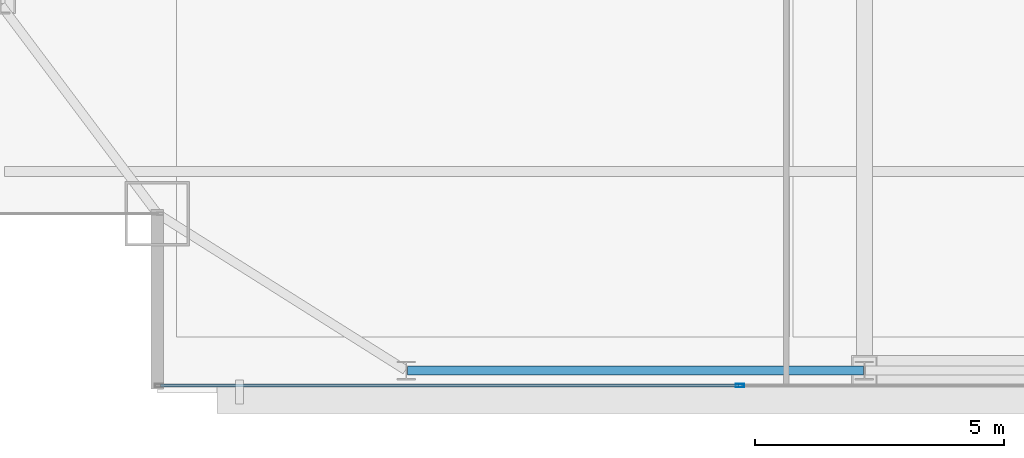
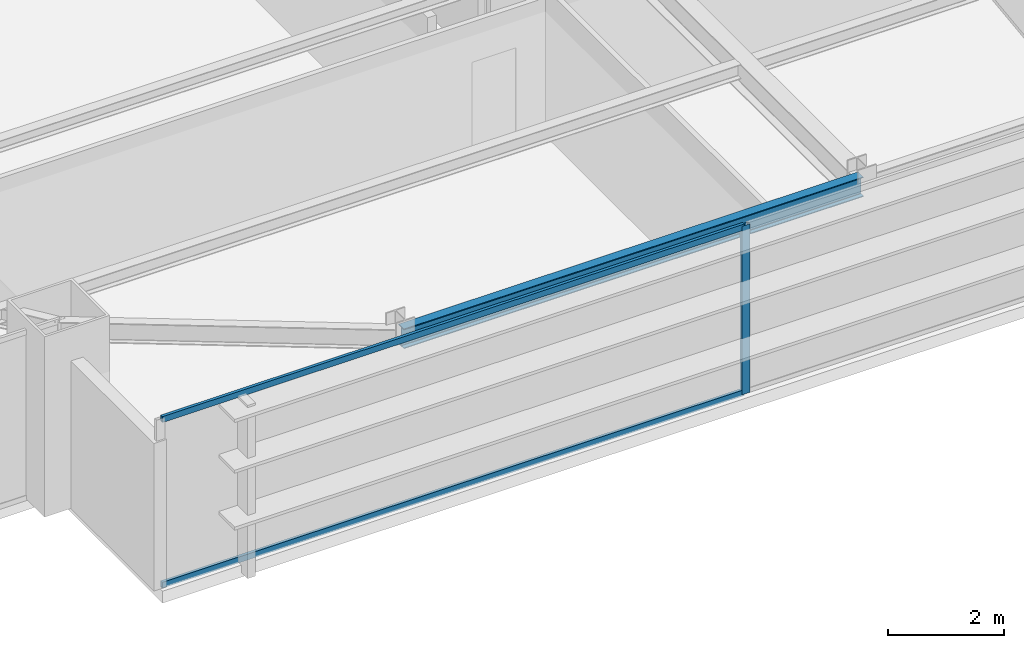
# One storey, part 5 of 30: 3 members, 1 beam, 1 element without a shape of its own.
"""IFC4 building model written with IfcOpenShell, lengths in metres."""

from ifc_helpers import new_model, si_unit, direction, frame, origin, origin_2d, place, context, subcontext, project, spatial, hollow_rectangle, i_section, extrude, source, transform, mapped, material, layer, layer_set, material_profile, profile_set, type_object, type_shapes, element, aggregate, save


model = new_model("IFC4")

# Units and contexts
model_context = context("Model", 3, precision=1e-05, world=origin(), true_north=direction((0.0, 1.0)))
body_context = subcontext(model_context, "Body", "Model", "MODEL_VIEW")
ifc_project = project(units=[si_unit("LENGTHUNIT", "METRE"), si_unit("AREAUNIT", "SQUARE_METRE"), si_unit("VOLUMEUNIT", "CUBIC_METRE"), si_unit("PLANEANGLEUNIT", "RADIAN"), si_unit("MASSUNIT", "GRAM", prefix="KILO")], contexts=[model_context])

# Site, building, storey
site_placement = place(None, origin())
site = spatial("IfcSite", under=ifc_project, at=site_placement, CompositionType="ELEMENT")
building_placement = place(site_placement, origin())
building = spatial("IfcBuilding", under=site, at=building_placement, Name="Varnel Quay Broadcast Tower", CompositionType="ELEMENT")
storey_placement = place(building_placement, frame((0.0, 0.0, 149.60009765625)))
storey = spatial("IfcBuildingStorey", under=building, at=storey_placement, Name="L36", CompositionType="ELEMENT", Elevation=149.60009765625)

# Beam
ifc_material_1 = material(Name="Structural Steel CSA G40.21 350W", Category="steel")
ifc_material_profile_1 = material_profile(ifc_material_1, i_section(OverallWidth=0.180908203125, OverallDepth=0.4169921875, WebThickness=0.010986328125, FlangeThickness=0.018310546875, FilletRadius=0.011962890625, at=origin_2d()), Name="W410X85")
ifc_profile_set_1 = profile_set([ifc_material_profile_1], Name="Structural Steel CSA G40.21 350W")
beam_type = type_object("IfcBeamType", Name="Beam_W410X85", PredefinedType="SPANDREL", material=ifc_profile_set_1)
shared_shape_1 = source(origin(), body_context, "Body", "SweptSolid", [
    extrude(i_section(OverallWidth=0.180908203125, OverallDepth=0.4169921875, WebThickness=0.010986328125, FlangeThickness=0.018310546875, FilletRadius=0.011962890625, at=origin_2d()), origin(), (0.0, 0.0, 1.0), 9.159912109375),
])
type_shapes(beam_type, [shared_shape_1])
beam_placement = place(storey_placement, frame((15.6201171875, 7.64990234375, 3.34130859375), z_axis=(1.0, 0.0, 0.0), x_axis=(0.0, 1.0, 0.0)))
element("IfcBeam", 1, at=beam_placement, inside=storey, type_object=beam_type, Name="L36 South Spandrel TC-S1-TC-S2", PredefinedType="SPANDREL", context=body_context, shape_type="MappedRepresentation", body=[
    mapped(shared_shape_1, transform((0.0, 0.0, 0.0), x_axis=(1.0, 0.0, 0.0), y_axis=(0.0, 1.0, 0.0), z_axis=(0.0, 0.0, 1.0), scale=1.0)),
])

# Curtain wall, members
ifc_material_2 = material(Name="Anodised Bronze Aluminium 6063-T6", Category="aluminium")
ifc_layer = layer(ifc_material_2, 0.18994140625, Name="Anodised Bronze Aluminium 6063-T6")
ifc_layer_set = layer_set([ifc_layer], Name="Anodised Bronze Aluminium 6063-T6")
curtain_wall_type = type_object("IfcCurtainWallType", Name="CW_UpperTower", PredefinedType="NOTDEFINED", material=ifc_layer_set)
curtain_wall_placement = place(storey_placement, origin())
curtain_wall = element("IfcCurtainWall", 2, at=curtain_wall_placement, inside=storey, type_object=curtain_wall_type, Name="L36 South Unitised Curtain Wall 1", PredefinedType="NOTDEFINED")
ifc_material_profile_2 = material_profile(ifc_material_2, hollow_rectangle(XDim=0.06494140625, YDim=0.1650390625, WallThickness=0.00341796875, at=origin_2d()), Name="ALU65X165X3.5")
ifc_profile_set_2 = profile_set([ifc_material_profile_2], Name="Anodised Bronze Aluminium 6063-T6")
member_type_1 = type_object("IfcMemberType", Name="Mull_CWS-03", PredefinedType="MULLION", material=ifc_profile_set_2)
shared_shape_2 = source(origin(), body_context, "Body", "SweptSolid", [
    extrude(hollow_rectangle(XDim=0.06494140625, YDim=0.1650390625, WallThickness=0.00341796875, at=origin_2d()), origin(), (0.0, 0.0, 1.0), 3.5498046875),
])
type_shapes(member_type_1, [shared_shape_2])
member_1_placement = place(storey_placement, frame((22.300048828125, 7.35009765625, 0.0), z_axis=(0.0, 0.0, 1.0), x_axis=(0.0, 1.0, 0.0)))
member_1 = element("IfcMember", 3, at=member_1_placement, type_object=member_type_1, Name="CWS-03 mullion 2", PredefinedType="MULLION", context=body_context, shape_type="MappedRepresentation", body=[
    mapped(shared_shape_2, transform((0.0, 0.0, 0.0), x_axis=(1.0, 0.0, 0.0), y_axis=(0.0, 1.0, 0.0), z_axis=(0.0, 0.0, 1.0), scale=1.0)),
])
ifc_material_profile_3 = material_profile(ifc_material_2, hollow_rectangle(XDim=0.06005859375, YDim=0.125, WallThickness=0.0029296875, at=origin_2d()), Name="ALU60X125X3")
ifc_profile_set_3 = profile_set([ifc_material_profile_3], Name="Anodised Bronze Aluminium 6063-T6")
member_type_2 = type_object("IfcMemberType", Name="Tran_CWS-03", PredefinedType="USERDEFINED", material=ifc_profile_set_3)
shared_shape_3 = source(origin(), body_context, "Body", "SweptSolid", [
    extrude(hollow_rectangle(XDim=0.06005859375, YDim=0.125, WallThickness=0.0029296875, at=origin_2d()), origin(), (0.0, 0.0, 1.0), 11.6025390625),
])
type_shapes(member_type_2, [shared_shape_3])
member_2_placement = place(storey_placement, frame((10.6650390625, 7.35009765625, 0.02978515625), z_axis=(1.0, 0.0, 0.0), x_axis=(0.0, 1.0, 0.0)))
member_2 = element("IfcMember", 4, at=member_2_placement, type_object=member_type_2, Name="CWS-03 transom 1.1", ObjectType="TRANSOM", PredefinedType="USERDEFINED", context=body_context, shape_type="MappedRepresentation", body=[
    mapped(shared_shape_3, transform((0.0, 0.0, 0.0), x_axis=(1.0, 0.0, 0.0), y_axis=(0.0, 1.0, 0.0), z_axis=(0.0, 0.0, 1.0), scale=1.0)),
])
member_3_placement = place(storey_placement, frame((10.6650390625, 7.35009765625, 3.52001953125), z_axis=(1.0, 0.0, 0.0), x_axis=(0.0, 1.0, 0.0)))
member_3 = element("IfcMember", 5, at=member_3_placement, type_object=member_type_2, Name="CWS-03 transom 1.2", ObjectType="TRANSOM", PredefinedType="USERDEFINED", context=body_context, shape_type="MappedRepresentation", body=[
    mapped(shared_shape_3, transform((0.0, 0.0, 0.0), x_axis=(1.0, 0.0, 0.0), y_axis=(0.0, 1.0, 0.0), z_axis=(0.0, 0.0, 1.0), scale=1.0)),
])
aggregate(curtain_wall, [member_1, member_2, member_3])

save(model, "model.ifc")
